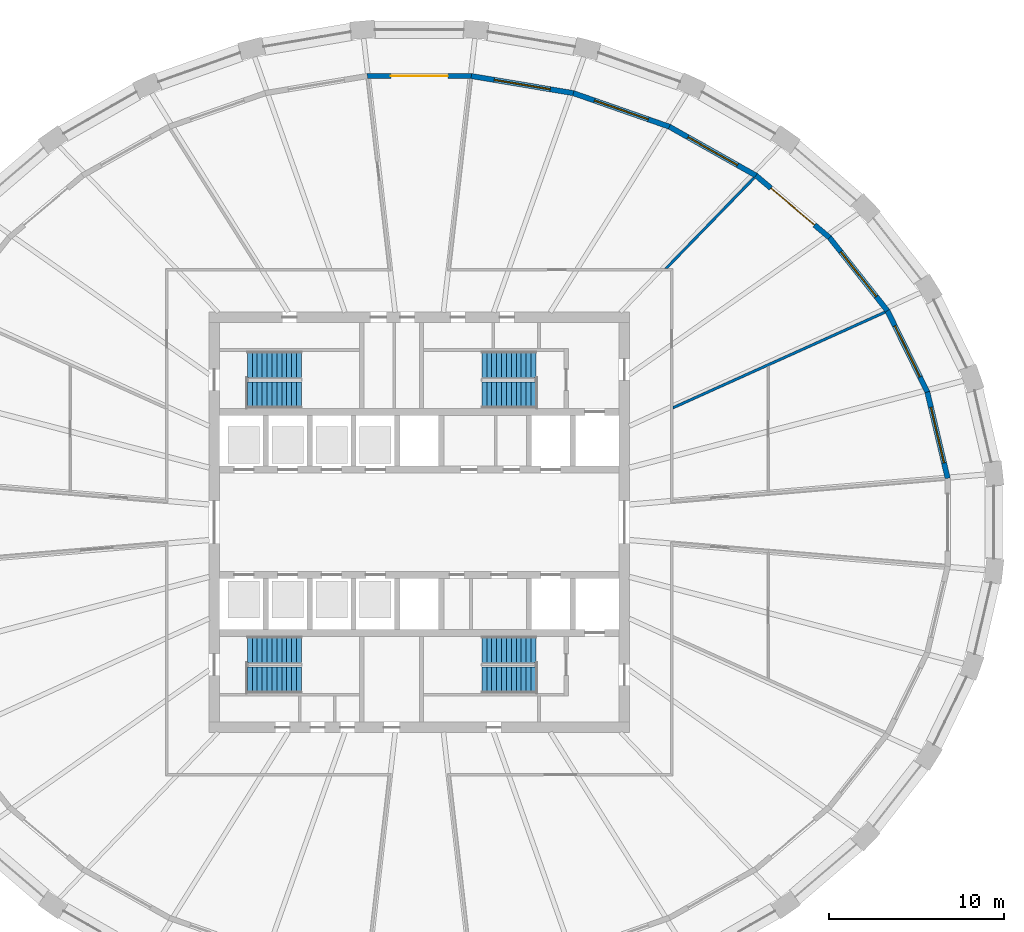
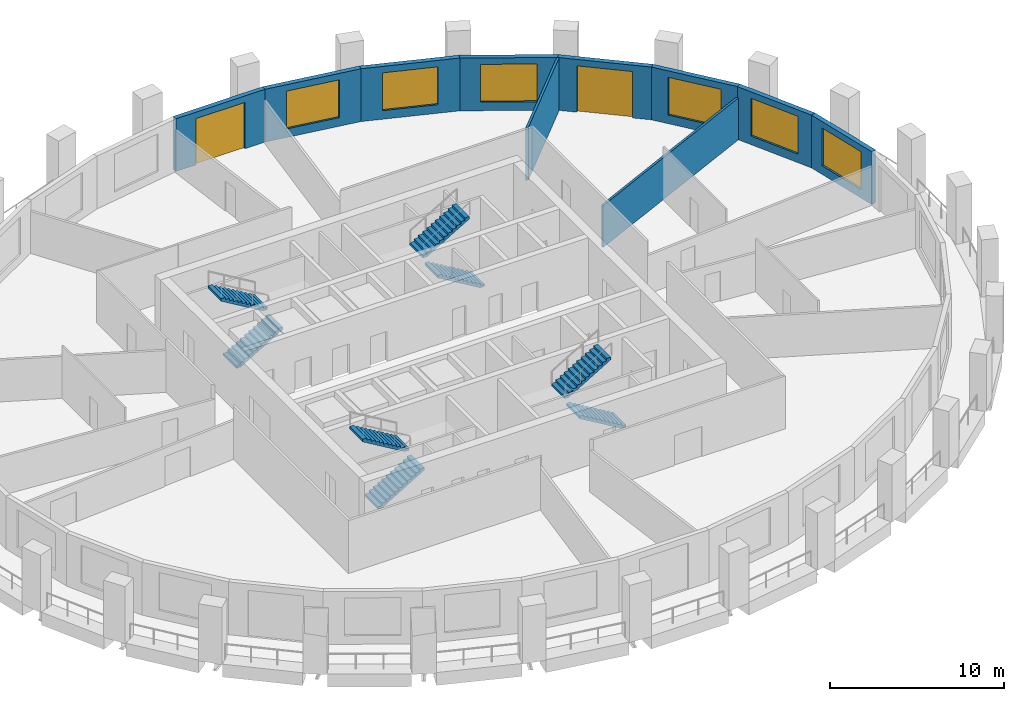
# One storey, part 7 of 10: 10 walls, 8 stair flights, 6 windows, 2 doors, 8 openings, 4 elements without a shape of their own.
"""IFC4 building model written with IfcOpenShell, lengths in metres."""

from ifc_helpers import new_model, si_unit, direction, frame, frame_2d, origin, place, context, subcontext, project, spatial, polyline, rectangle, outline, extrude, material, layer, layer_set, type_object, element, fill, aggregate, save


model = new_model("IFC4")

# Units and contexts
model_context = context("Model", 3, precision=1e-05, world=origin(), true_north=direction((0.0, 1.0)))
body_context = subcontext(model_context, "Body", "Model", "MODEL_VIEW")
ifc_project = project(units=[si_unit("LENGTHUNIT", "METRE"), si_unit("AREAUNIT", "SQUARE_METRE"), si_unit("VOLUMEUNIT", "CUBIC_METRE"), si_unit("PLANEANGLEUNIT", "RADIAN"), si_unit("MASSUNIT", "GRAM", prefix="KILO")], contexts=[model_context])

# Site, building, storey
site_placement = place(None, origin())
site = spatial("IfcSite", under=ifc_project, at=site_placement, CompositionType="ELEMENT")
building_placement = place(site_placement, origin())
building = spatial("IfcBuilding", under=site, at=building_placement, Name="Halqa Exchange Tower", CompositionType="ELEMENT")
storey_placement = place(building_placement, frame((0.0, 0.0, 182.89990234375)))
storey = spatial("IfcBuildingStorey", under=building, at=storey_placement, Name="L41", CompositionType="ELEMENT", Elevation=182.89990234375)

# Walls
ifc_material_1 = material(Name="Fire-rated gypsum board")
ifc_layer_1 = layer(ifc_material_1, 0.14990234375)
ifc_layer_set_1 = layer_set([ifc_layer_1], Name="Fire-rated gypsum board")
wall_type_1 = type_object("IfcWallType", Name="Fire partition EI 60 150", PredefinedType="PARTITIONING", material=ifc_layer_set_1)
wall_1_placement = place(storey_placement, frame((14.022216796875, 14.4228515625, 0.0), z_axis=(0.0, 0.0, 1.0), x_axis=(0.69721790069, 0.716859260216, 0.0)))
element("IfcWall", 1, at=wall_1_placement, inside=storey, type_object=wall_type_1, Name="L41-PWL-017", PredefinedType="PARTITIONING", context=body_context, shape_type="SweptSolid", body=[
    extrude(outline(polyline([(0.0, 0.074951171875), (0.0, 0.07470703125), (0.145751953125, -0.074951171875), (1.927001953125, -0.074951171875), (3.70849609375, -0.074951171875), (5.489990234375, -0.074951171875), (7.271484375, -0.074951171875), (7.271484375, 0.074951171875), (5.45361328125, 0.074951171875), (3.6357421875, 0.074951171875), (1.81787109375, 0.074951171875), (0.0, 0.074951171875)])), origin(), (0.0, 0.0, 1.0), 3.7001953125),
])
wall_2_placement = place(storey_placement, frame((14.444580078125, 6.52001953125, 0.0), z_axis=(0.0, 0.0, 1.0), x_axis=(0.911609963385, 0.411056291349, 0.0)))
element("IfcWall", 2, at=wall_2_placement, inside=storey, type_object=wall_type_1, Name="L41-PWL-024", PredefinedType="PARTITIONING", context=body_context, shape_type="SweptSolid", body=[
    extrude(outline(polyline([(0.0, -0.074951171875), (1.96533203125, -0.074951171875), (3.930419921875, -0.074951171875), (5.895751953125, -0.074951171875), (5.896728515625, -0.07275390625), (5.9013671875, -0.074951171875), (7.75, -0.074951171875), (9.5986328125, -0.074951171875), (11.447265625, -0.074951171875), (13.2958984375, -0.074951171875), (13.2958984375, -0.069091796875), (13.293701171875, -0.002685546875), (13.274169921875, 0.074951171875), (11.387451171875, 0.074951171875), (9.500732421875, 0.074951171875), (7.614013671875, 0.074951171875), (5.727294921875, 0.074951171875), (3.840576171875, 0.074951171875), (1.953857421875, 0.074951171875), (0.067138671875, 0.074951171875), (0.0, -0.073974609375), (0.0, -0.074951171875)])), origin(), (0.0, 0.0, 1.0), 2.93017578125),
])

# Wall, opening, window
ifc_material_2 = material(Name="Limestone cladding", Category="masonry")
ifc_layer_2 = layer(ifc_material_2, 0.0400390625)
ifc_material_3 = material(Name="Ventilated cavity")
ifc_layer_3 = layer(ifc_material_3, 0.030029296875, ventilated=True)
ifc_material_4 = material(Name="Mineral wool insulation")
ifc_layer_4 = layer(ifc_material_4, 0.10009765625)
ifc_material_5 = material(Name="Concrete C30/37", Category="concrete")
ifc_layer_5 = layer(ifc_material_5, 0.10009765625)
ifc_material_6 = material(Name="Internal plaster")
ifc_layer_6 = layer(ifc_material_6, 0.030029296875)
ifc_layer_set_2 = layer_set([ifc_layer_2, ifc_layer_3, ifc_layer_4, ifc_layer_5, ifc_layer_6], Name="Stone-faced insulated wall 300")
wall_type_2 = type_object("IfcWallType", Name="Stone-faced insulated wall 300", PredefinedType="STANDARD", material=ifc_layer_set_2)
wall_3_placement = place(storey_placement, frame((30.126220703125, 2.5087890625, 0.0), z_axis=(0.0, 0.0, 1.0), x_axis=(-0.229434992017, 0.973323987395, 0.0)))
wall_3 = element("IfcWall", 3, at=wall_3_placement, inside=storey, type_object=wall_type_2, Name="Glass-line wall 1", PredefinedType="STANDARD", context=body_context, shape_type="SweptSolid", body=[
    extrude(outline(polyline([(-0.017333984375, -0.14990234375), (5.072265625, -0.14990234375), (5.03857421875, 0.14990234375), (0.017333984375, 0.14990234375), (-0.017333984375, -0.14990234375)])), origin(), (0.0, 0.0, 1.0), 3.7001953125),
])
opening_1_placement = place(wall_3_placement, frame((0.902587890625, 0.0, 0.60009765625)))
opening_1 = element("IfcOpeningElement", 4, at=opening_1_placement, cuts=wall_3, Name="Opening W-F3-01", PredefinedType="OPENING", context=body_context, shape_type="SweptSolid", body=[
    extrude(rectangle(XDim=3.25, YDim=2.64990234375, at=frame_2d((1.625, 1.324951171875))), frame((0.0, 0.162109375, 0.0), z_axis=(0.0, -1.0, 0.0), x_axis=(1.0, 0.0, 0.0)), (0.0, 0.0, 1.0), 0.323974609375),
])
ifc_material_7 = material(Name="Clear low-emissivity glass in aluminium frame", Category="aluminium")
window_type = type_object("IfcWindowType", Name="Fixed clear glazed window 3250 x 2650", PartitioningType="TRIPLE_PANEL_VERTICAL", PredefinedType="WINDOW", material=ifc_material_7)
window_1_placement = place(opening_1_placement, origin())
window_1 = element("IfcWindow", 5, at=window_1_placement, inside=storey, type_object=window_type, Name="Window 3", OverallHeight=2.64990234375, OverallWidth=3.25, PartitioningType="TRIPLE_PANEL_VERTICAL", PredefinedType="WINDOW", context=body_context, shape_type="SweptSolid", body=[
    extrude(rectangle(XDim=3.25, YDim=2.64990234375, at=frame_2d((1.625, 1.324951171875))), frame((0.0, 0.030029296875, 0.0), z_axis=(0.0, -1.0, 0.0), x_axis=(1.0, 0.0, 0.0)), (0.0, 0.0, 1.0), 0.06005859375),
])
fill(opening_1, window_1)

wall_4_placement = place(storey_placement, frame((28.96630859375, 7.429443359375, 0.0), z_axis=(0.0, 0.0, 1.0), x_axis=(-0.440673883676, 0.897667270343, 0.0)))
wall_4 = element("IfcWall", 6, at=wall_4_placement, inside=storey, type_object=wall_type_2, Name="Glass-line wall 2", PredefinedType="STANDARD", context=body_context, shape_type="SweptSolid", body=[
    extrude(outline(polyline([(-0.016845703125, -0.14990234375), (5.17724609375, -0.14990234375), (5.14501953125, 0.14990234375), (0.016845703125, 0.14990234375), (-0.016845703125, -0.14990234375)])), origin(), (0.0, 0.0, 1.0), 3.7001953125),
])
opening_2_placement = place(wall_4_placement, frame((0.95556640625, 0.0, 0.60009765625)))
opening_2 = element("IfcOpeningElement", 7, at=opening_2_placement, cuts=wall_4, Name="Opening W-F3-02", PredefinedType="OPENING", context=body_context, shape_type="SweptSolid", body=[
    extrude(rectangle(XDim=3.25, YDim=2.64990234375, at=frame_2d((1.625, 1.324951171875))), frame((0.0, 0.162109375, 0.0), z_axis=(0.0, -1.0, 0.0), x_axis=(1.0, 0.0, 0.0)), (0.0, 0.0, 1.0), 0.323974609375),
])
window_2_placement = place(opening_2_placement, origin())
window_2 = element("IfcWindow", 8, at=window_2_placement, inside=storey, type_object=window_type, Name="Window 3", OverallHeight=2.64990234375, OverallWidth=3.25, PartitioningType="TRIPLE_PANEL_VERTICAL", PredefinedType="WINDOW", context=body_context, shape_type="SweptSolid", body=[
    extrude(rectangle(XDim=3.25, YDim=2.64990234375, at=frame_2d((1.625, 1.324951171875))), frame((0.0, 0.030029296875, 0.0), z_axis=(0.0, -1.0, 0.0), x_axis=(1.0, 0.0, 0.0)), (0.0, 0.0, 1.0), 0.06005859375),
])
fill(opening_2, window_2)

wall_5_placement = place(storey_placement, frame((26.69189453125, 12.0625, 0.0), z_axis=(0.0, 0.0, 1.0), x_axis=(-0.620766467446, 0.78399553117, 0.0)))
wall_5 = element("IfcWall", 9, at=wall_5_placement, inside=storey, type_object=wall_type_2, Name="Glass-line wall 3", PredefinedType="STANDARD", context=body_context, shape_type="SweptSolid", body=[
    extrude(outline(polyline([(-0.01611328125, -0.14990234375), (5.330810546875, -0.14990234375), (5.300537109375, 0.14990234375), (0.01611328125, 0.14990234375), (-0.01611328125, -0.14990234375)])), origin(), (0.0, 0.0, 1.0), 3.7001953125),
])
opening_3_placement = place(wall_5_placement, frame((1.032958984375, 0.0, 0.60009765625)))
opening_3 = element("IfcOpeningElement", 10, at=opening_3_placement, cuts=wall_5, Name="Opening W-F3-03", PredefinedType="OPENING", context=body_context, shape_type="SweptSolid", body=[
    extrude(rectangle(XDim=3.25, YDim=2.64990234375, at=frame_2d((1.625, 1.324951171875))), frame((0.0, 0.162109375, 0.0), z_axis=(0.0, -1.0, 0.0), x_axis=(1.0, 0.0, 0.0)), (0.0, 0.0, 1.0), 0.323974609375),
])
window_3_placement = place(opening_3_placement, origin())
window_3 = element("IfcWindow", 11, at=window_3_placement, inside=storey, type_object=window_type, Name="Window 3", OverallHeight=2.64990234375, OverallWidth=3.25, PartitioningType="TRIPLE_PANEL_VERTICAL", PredefinedType="WINDOW", context=body_context, shape_type="SweptSolid", body=[
    extrude(rectangle(XDim=3.25, YDim=2.64990234375, at=frame_2d((1.625, 1.324951171875))), frame((0.0, 0.030029296875, 0.0), z_axis=(0.0, -1.0, 0.0), x_axis=(1.0, 0.0, 0.0)), (0.0, 0.0, 1.0), 0.06005859375),
])
fill(opening_3, window_3)

# Wall, opening, door
wall_6_placement = place(storey_placement, frame((23.39208984375, 16.22998046875, 0.0), z_axis=(0.0, 0.0, 1.0), x_axis=(-0.764238764041, 0.64493341636, 0.0)))
wall_6 = element("IfcWall", 12, at=wall_6_placement, inside=storey, type_object=wall_type_2, Name="Glass-line wall 4", PredefinedType="STANDARD", context=body_context, shape_type="SweptSolid", body=[
    extrude(outline(polyline([(-0.01513671875, -0.14990234375), (5.506591796875, -0.14990234375), (5.478271484375, 0.14990234375), (0.01513671875, 0.14990234375), (-0.01513671875, -0.14990234375)])), origin(), (0.0, 0.0, 1.0), 3.7001953125),
])
opening_4_placement = place(wall_6_placement, frame((1.12109375, 0.0, 0.0)))
opening_4 = element("IfcOpeningElement", 13, at=opening_4_placement, cuts=wall_6, Name="Opening LG-F3-01", PredefinedType="OPENING", context=body_context, shape_type="SweptSolid", body=[
    extrude(rectangle(XDim=3.25, YDim=3.25, at=frame_2d((1.625, 1.625))), frame((0.0, 0.162109375, 0.0), z_axis=(0.0, -1.0, 0.0), x_axis=(1.0, 0.0, 0.0)), (0.0, 0.0, 1.0), 0.323974609375),
])
door_type = type_object("IfcDoorType", Name="Glazed sliding loggia door 3250 x 3250", OperationType="DOUBLE_DOOR_SLIDING", PredefinedType="DOOR", material=ifc_material_7)
door_1_placement = place(opening_4_placement, origin())
door_1 = element("IfcDoor", 14, at=door_1_placement, inside=storey, type_object=door_type, Name="Loggia door 1", OperationType="DOUBLE_DOOR_SLIDING", OverallHeight=3.25, OverallWidth=3.25, PredefinedType="DOOR", context=body_context, shape_type="SweptSolid", body=[
    extrude(rectangle(XDim=3.25, YDim=3.25, at=frame_2d((1.625, 1.625))), frame((0.0, 0.02490234375, 0.0), z_axis=(0.0, -1.0, 0.0), x_axis=(1.0, 0.0, 0.0)), (0.0, 0.0, 1.0), 0.050048828125),
])
fill(opening_4, door_1)

# Wall, opening, window
wall_7_placement = place(storey_placement, frame((19.194580078125, 19.772216796875, 0.0), z_axis=(0.0, 0.0, 1.0), x_axis=(-0.871077775545, 0.491145099691, 0.0)))
wall_7 = element("IfcWall", 15, at=wall_7_placement, inside=storey, type_object=wall_type_2, Name="Glass-line wall 5", PredefinedType="STANDARD", context=body_context, shape_type="SweptSolid", body=[
    extrude(outline(polyline([(-0.01416015625, -0.14990234375), (5.67724609375, -0.14990234375), (5.650390625, 0.14990234375), (0.01416015625, 0.14990234375), (-0.01416015625, -0.14990234375)])), origin(), (0.0, 0.0, 1.0), 3.7001953125),
])
opening_5_placement = place(wall_7_placement, frame((1.206787109375, 0.0, 0.60009765625)))
opening_5 = element("IfcOpeningElement", 16, at=opening_5_placement, cuts=wall_7, Name="Opening W-F3-05", PredefinedType="OPENING", context=body_context, shape_type="SweptSolid", body=[
    extrude(rectangle(XDim=3.25, YDim=2.64990234375, at=frame_2d((1.625, 1.324951171875))), frame((0.0, 0.162109375, 0.0), z_axis=(0.0, -1.0, 0.0), x_axis=(1.0, 0.0, 0.0)), (0.0, 0.0, 1.0), 0.323974609375),
])
window_4_placement = place(opening_5_placement, origin())
window_4 = element("IfcWindow", 17, at=window_4_placement, inside=storey, type_object=window_type, Name="Window 3", OverallHeight=2.64990234375, OverallWidth=3.25, PartitioningType="TRIPLE_PANEL_VERTICAL", PredefinedType="WINDOW", context=body_context, shape_type="SweptSolid", body=[
    extrude(rectangle(XDim=3.25, YDim=2.64990234375, at=frame_2d((1.625, 1.324951171875))), frame((0.0, 0.030029296875, 0.0), z_axis=(0.0, -1.0, 0.0), x_axis=(1.0, 0.0, 0.0)), (0.0, 0.0, 1.0), 0.06005859375),
])
fill(opening_5, window_4)

wall_8_placement = place(storey_placement, frame((14.260986328125, 22.553955078125, 0.0), z_axis=(0.0, 0.0, 1.0), x_axis=(-0.943990724372, 0.329971987144, 0.0)))
wall_8 = element("IfcWall", 18, at=wall_8_placement, inside=storey, type_object=wall_type_2, Name="Glass-line wall 6", PredefinedType="STANDARD", context=body_context, shape_type="SweptSolid", body=[
    extrude(outline(polyline([(-0.013427734375, -0.14990234375), (5.81787109375, -0.14990234375), (5.79248046875, 0.14990234375), (0.013427734375, 0.14990234375), (-0.013427734375, -0.14990234375)])), origin(), (0.0, 0.0, 1.0), 3.7001953125),
])
opening_6_placement = place(wall_8_placement, frame((1.277587890625, 0.0, 0.60009765625)))
opening_6 = element("IfcOpeningElement", 19, at=opening_6_placement, cuts=wall_8, Name="Opening W-F3-06", PredefinedType="OPENING", context=body_context, shape_type="SweptSolid", body=[
    extrude(rectangle(XDim=3.25, YDim=2.64990234375, at=frame_2d((1.625, 1.324951171875))), frame((0.0, 0.162109375, 0.0), z_axis=(0.0, -1.0, 0.0), x_axis=(1.0, 0.0, 0.0)), (0.0, 0.0, 1.0), 0.323974609375),
])
window_5_placement = place(opening_6_placement, origin())
window_5 = element("IfcWindow", 20, at=window_5_placement, inside=storey, type_object=window_type, Name="Window 3", OverallHeight=2.64990234375, OverallWidth=3.25, PartitioningType="TRIPLE_PANEL_VERTICAL", PredefinedType="WINDOW", context=body_context, shape_type="SweptSolid", body=[
    extrude(rectangle(XDim=3.25, YDim=2.64990234375, at=frame_2d((1.625, 1.324951171875))), frame((0.0, 0.030029296875, 0.0), z_axis=(0.0, -1.0, 0.0), x_axis=(1.0, 0.0, 0.0)), (0.0, 0.0, 1.0), 0.06005859375),
])
fill(opening_6, window_5)

wall_9_placement = place(storey_placement, frame((8.781005859375, 24.469482421875, 0.0), z_axis=(0.0, 0.0, 1.0), x_axis=(-0.986201934369, 0.165546805001, 0.0)))
wall_9 = element("IfcWall", 21, at=wall_9_placement, inside=storey, type_object=wall_type_2, Name="Glass-line wall 7", PredefinedType="STANDARD", context=body_context, shape_type="SweptSolid", body=[
    extrude(outline(polyline([(-0.0126953125, -0.14990234375), (5.909912109375, -0.14990234375), (5.885009765625, 0.14990234375), (0.0126953125, 0.14990234375), (-0.0126953125, -0.14990234375)])), origin(), (0.0, 0.0, 1.0), 3.7001953125),
])
opening_7_placement = place(wall_9_placement, frame((1.32373046875, 0.0, 0.60009765625)))
opening_7 = element("IfcOpeningElement", 22, at=opening_7_placement, cuts=wall_9, Name="Opening W-F3-07", PredefinedType="OPENING", context=body_context, shape_type="SweptSolid", body=[
    extrude(rectangle(XDim=3.25, YDim=2.64990234375, at=frame_2d((1.625, 1.324951171875))), frame((0.0, 0.162109375, 0.0), z_axis=(0.0, -1.0, 0.0), x_axis=(1.0, 0.0, 0.0)), (0.0, 0.0, 1.0), 0.323974609375),
])
window_6_placement = place(opening_7_placement, origin())
window_6 = element("IfcWindow", 23, at=window_6_placement, inside=storey, type_object=window_type, Name="Window 3", OverallHeight=2.64990234375, OverallWidth=3.25, PartitioningType="TRIPLE_PANEL_VERTICAL", PredefinedType="WINDOW", context=body_context, shape_type="SweptSolid", body=[
    extrude(rectangle(XDim=3.25, YDim=2.64990234375, at=frame_2d((1.625, 1.324951171875))), frame((0.0, 0.030029296875, 0.0), z_axis=(0.0, -1.0, 0.0), x_axis=(1.0, 0.0, 0.0)), (0.0, 0.0, 1.0), 0.06005859375),
])
fill(opening_7, window_6)

# Wall, opening, door
wall_10_placement = place(storey_placement, frame((2.96484375, 25.44580078125, 0.0), z_axis=(0.0, 0.0, 1.0), x_axis=(-1.0, 0.0, 0.0)))
wall_10 = element("IfcWall", 24, at=wall_10_placement, inside=storey, type_object=wall_type_2, Name="Glass-line wall 8", PredefinedType="STANDARD", context=body_context, shape_type="SweptSolid", body=[
    extrude(outline(polyline([(-0.012451171875, -0.14990234375), (5.942138671875, -0.14990234375), (5.917236328125, 0.14990234375), (0.012451171875, 0.14990234375), (-0.012451171875, -0.14990234375)])), origin(), (0.0, 0.0, 1.0), 3.7001953125),
])
opening_8_placement = place(wall_10_placement, frame((1.33984375, 0.0, 0.0)))
opening_8 = element("IfcOpeningElement", 25, at=opening_8_placement, cuts=wall_10, Name="Opening LG-F3-02", PredefinedType="OPENING", context=body_context, shape_type="SweptSolid", body=[
    extrude(rectangle(XDim=3.25, YDim=3.25, at=frame_2d((1.625, 1.625))), frame((0.0, 0.162109375, 0.0), z_axis=(0.0, -1.0, 0.0), x_axis=(1.0, 0.0, 0.0)), (0.0, 0.0, 1.0), 0.323974609375),
])
door_2_placement = place(opening_8_placement, origin())
door_2 = element("IfcDoor", 26, at=door_2_placement, inside=storey, type_object=door_type, Name="Loggia door 2", OperationType="DOUBLE_DOOR_SLIDING", OverallHeight=3.25, OverallWidth=3.25, PredefinedType="DOOR", context=body_context, shape_type="SweptSolid", body=[
    extrude(rectangle(XDim=3.25, YDim=3.25, at=frame_2d((1.625, 1.625))), frame((0.0, 0.02490234375, 0.0), z_axis=(0.0, -1.0, 0.0), x_axis=(1.0, 0.0, 0.0)), (0.0, 0.0, 1.0), 0.050048828125),
])
fill(opening_8, door_2)

# Stair, stair flights
stair_type = type_object("IfcStairType", Name="Exit stair 1500 wide", PredefinedType="HALF_TURN_STAIR", material=ifc_material_5)
stair_1_placement = place(storey_placement, origin())
stair_1 = element("IfcStair", 27, at=stair_1_placement, inside=storey, type_object=stair_type, Name="Exit stair ST1", PredefinedType="HALF_TURN_STAIR")
stair_flight_type = type_object("IfcStairFlightType", Name="Stair flight 1500 wide", PredefinedType="STRAIGHT", material=ifc_material_5)
stair_flight_1_placement = place(storey_placement, frame((-9.800048828125, 7.25, 0.0), z_axis=(0.0, 0.0, 1.0), x_axis=(1.0, 0.0, 0.0)))
stair_flight_1 = element("IfcStairFlight", 28, at=stair_flight_1_placement, type_object=stair_flight_type, Name="ST1 flight 1", NumberOfRisers=12, NumberOfTreads=11, PredefinedType="STRAIGHT", RiserHeight=0.166666667, TreadLength=0.28, context=body_context, shape_type="SweptSolid", body=[
    extrude(outline(polyline([(0.0, 0.0), (0.0, 0.166748046875), (0.280029296875, 0.166748046875), (0.280029296875, 0.333251953125), (0.56005859375, 0.333251953125), (0.56005859375, 0.5), (0.840087890625, 0.5), (0.840087890625, 0.666748046875), (1.1201171875, 0.666748046875), (1.1201171875, 0.833251953125), (1.39990234375, 0.833251953125), (1.39990234375, 1.0), (1.679931640625, 1.0), (1.679931640625, 1.166748046875), (1.9599609375, 1.166748046875), (1.9599609375, 1.333251953125), (2.239990234375, 1.333251953125), (2.239990234375, 1.5), (2.52001953125, 1.5), (2.52001953125, 1.666748046875), (2.800048828125, 1.666748046875), (2.800048828125, 1.833251953125), (3.080078125, 1.833251953125), (3.080078125, 2.0), (3.080078125, 1.658935546875), (0.29296875, 0.0), (0.0, 0.0)])), frame((0.0, 0.75, 0.0), z_axis=(0.0, -1.0, 0.0), x_axis=(1.0, 0.0, 0.0)), (0.0, 0.0, 1.0), 1.5),
])
stair_flight_2_placement = place(storey_placement, frame((-6.719970703125, 9.0, 2.0), z_axis=(0.0, 0.0, 1.0), x_axis=(-1.0, 0.0, 0.0)))
stair_flight_2 = element("IfcStairFlight", 29, at=stair_flight_2_placement, type_object=stair_flight_type, Name="ST1 flight 2", NumberOfRisers=12, NumberOfTreads=11, PredefinedType="STRAIGHT", RiserHeight=0.166666667, TreadLength=0.28, context=body_context, shape_type="SweptSolid", body=[
    extrude(outline(polyline([(0.0, 0.0), (0.0, 0.166748046875), (0.280029296875, 0.166748046875), (0.280029296875, 0.333251953125), (0.56005859375, 0.333251953125), (0.56005859375, 0.5), (0.840087890625, 0.5), (0.840087890625, 0.666748046875), (1.1201171875, 0.666748046875), (1.1201171875, 0.833251953125), (1.39990234375, 0.833251953125), (1.39990234375, 1.0), (1.679931640625, 1.0), (1.679931640625, 1.166748046875), (1.9599609375, 1.166748046875), (1.9599609375, 1.333251953125), (2.239990234375, 1.333251953125), (2.239990234375, 1.5), (2.52001953125, 1.5), (2.52001953125, 1.666748046875), (2.800048828125, 1.666748046875), (2.800048828125, 1.833251953125), (3.080078125, 1.833251953125), (3.080078125, 2.0), (3.080078125, 1.658935546875), (0.29296875, 0.0), (0.0, 0.0)])), frame((0.0, 0.75, 0.0), z_axis=(0.0, -1.0, 0.0), x_axis=(1.0, 0.0, 0.0)), (0.0, 0.0, 1.0), 1.5),
])
aggregate(stair_1, [stair_flight_1, stair_flight_2])

stair_2_placement = place(storey_placement, origin())
stair_2 = element("IfcStair", 30, at=stair_2_placement, inside=storey, type_object=stair_type, Name="Exit stair ST2", PredefinedType="HALF_TURN_STAIR")
stair_flight_3_placement = place(storey_placement, frame((6.64990234375, 7.25, 0.0), z_axis=(0.0, 0.0, 1.0), x_axis=(-1.0, 0.0, 0.0)))
stair_flight_3 = element("IfcStairFlight", 31, at=stair_flight_3_placement, type_object=stair_flight_type, Name="ST2 flight 1", NumberOfRisers=12, NumberOfTreads=11, PredefinedType="STRAIGHT", RiserHeight=0.166666667, TreadLength=0.28, context=body_context, shape_type="SweptSolid", body=[
    extrude(outline(polyline([(0.0, 0.0), (0.0, 0.166748046875), (0.280029296875, 0.166748046875), (0.280029296875, 0.333251953125), (0.56005859375, 0.333251953125), (0.56005859375, 0.5), (0.840087890625, 0.5), (0.840087890625, 0.666748046875), (1.1201171875, 0.666748046875), (1.1201171875, 0.833251953125), (1.39990234375, 0.833251953125), (1.39990234375, 1.0), (1.679931640625, 1.0), (1.679931640625, 1.166748046875), (1.9599609375, 1.166748046875), (1.9599609375, 1.333251953125), (2.239990234375, 1.333251953125), (2.239990234375, 1.5), (2.52001953125, 1.5), (2.52001953125, 1.666748046875), (2.800048828125, 1.666748046875), (2.800048828125, 1.833251953125), (3.080078125, 1.833251953125), (3.080078125, 2.0), (3.080078125, 1.658935546875), (0.29296875, 0.0), (0.0, 0.0)])), frame((0.0, 0.75, 0.0), z_axis=(0.0, -1.0, 0.0), x_axis=(1.0, 0.0, 0.0)), (0.0, 0.0, 1.0), 1.5),
])
stair_flight_4_placement = place(storey_placement, frame((3.570068359375, 9.0, 2.0), z_axis=(0.0, 0.0, 1.0), x_axis=(1.0, 0.0, 0.0)))
stair_flight_4 = element("IfcStairFlight", 32, at=stair_flight_4_placement, type_object=stair_flight_type, Name="ST2 flight 2", NumberOfRisers=12, NumberOfTreads=11, PredefinedType="STRAIGHT", RiserHeight=0.166666667, TreadLength=0.28, context=body_context, shape_type="SweptSolid", body=[
    extrude(outline(polyline([(0.0, 0.0), (0.0, 0.166748046875), (0.280029296875, 0.166748046875), (0.280029296875, 0.333251953125), (0.56005859375, 0.333251953125), (0.56005859375, 0.5), (0.840087890625, 0.5), (0.840087890625, 0.666748046875), (1.1201171875, 0.666748046875), (1.1201171875, 0.833251953125), (1.39990234375, 0.833251953125), (1.39990234375, 1.0), (1.679931640625, 1.0), (1.679931640625, 1.166748046875), (1.9599609375, 1.166748046875), (1.9599609375, 1.333251953125), (2.239990234375, 1.333251953125), (2.239990234375, 1.5), (2.52001953125, 1.5), (2.52001953125, 1.666748046875), (2.800048828125, 1.666748046875), (2.800048828125, 1.833251953125), (3.080078125, 1.833251953125), (3.080078125, 2.0), (3.080078125, 1.658935546875), (0.29296875, 0.0), (0.0, 0.0)])), frame((0.0, 0.75, 0.0), z_axis=(0.0, -1.0, 0.0), x_axis=(1.0, 0.0, 0.0)), (0.0, 0.0, 1.0), 1.5),
])
aggregate(stair_2, [stair_flight_3, stair_flight_4])

stair_3_placement = place(storey_placement, origin())
stair_3 = element("IfcStair", 33, at=stair_3_placement, inside=storey, type_object=stair_type, Name="Exit stair ST3", PredefinedType="HALF_TURN_STAIR")
stair_flight_5_placement = place(storey_placement, frame((-9.800048828125, -9.0, 0.0), z_axis=(0.0, 0.0, 1.0), x_axis=(1.0, 0.0, 0.0)))
stair_flight_5 = element("IfcStairFlight", 34, at=stair_flight_5_placement, type_object=stair_flight_type, Name="ST3 flight 1", NumberOfRisers=12, NumberOfTreads=11, PredefinedType="STRAIGHT", RiserHeight=0.166666667, TreadLength=0.28, context=body_context, shape_type="SweptSolid", body=[
    extrude(outline(polyline([(0.0, 0.0), (0.0, 0.166748046875), (0.280029296875, 0.166748046875), (0.280029296875, 0.333251953125), (0.56005859375, 0.333251953125), (0.56005859375, 0.5), (0.840087890625, 0.5), (0.840087890625, 0.666748046875), (1.1201171875, 0.666748046875), (1.1201171875, 0.833251953125), (1.39990234375, 0.833251953125), (1.39990234375, 1.0), (1.679931640625, 1.0), (1.679931640625, 1.166748046875), (1.9599609375, 1.166748046875), (1.9599609375, 1.333251953125), (2.239990234375, 1.333251953125), (2.239990234375, 1.5), (2.52001953125, 1.5), (2.52001953125, 1.666748046875), (2.800048828125, 1.666748046875), (2.800048828125, 1.833251953125), (3.080078125, 1.833251953125), (3.080078125, 2.0), (3.080078125, 1.658935546875), (0.29296875, 0.0), (0.0, 0.0)])), frame((0.0, 0.75, 0.0), z_axis=(0.0, -1.0, 0.0), x_axis=(1.0, 0.0, 0.0)), (0.0, 0.0, 1.0), 1.5),
])
stair_flight_6_placement = place(storey_placement, frame((-6.719970703125, -7.25, 2.0), z_axis=(0.0, 0.0, 1.0), x_axis=(-1.0, 0.0, 0.0)))
stair_flight_6 = element("IfcStairFlight", 35, at=stair_flight_6_placement, type_object=stair_flight_type, Name="ST3 flight 2", NumberOfRisers=12, NumberOfTreads=11, PredefinedType="STRAIGHT", RiserHeight=0.166666667, TreadLength=0.28, context=body_context, shape_type="SweptSolid", body=[
    extrude(outline(polyline([(0.0, 0.0), (0.0, 0.166748046875), (0.280029296875, 0.166748046875), (0.280029296875, 0.333251953125), (0.56005859375, 0.333251953125), (0.56005859375, 0.5), (0.840087890625, 0.5), (0.840087890625, 0.666748046875), (1.1201171875, 0.666748046875), (1.1201171875, 0.833251953125), (1.39990234375, 0.833251953125), (1.39990234375, 1.0), (1.679931640625, 1.0), (1.679931640625, 1.166748046875), (1.9599609375, 1.166748046875), (1.9599609375, 1.333251953125), (2.239990234375, 1.333251953125), (2.239990234375, 1.5), (2.52001953125, 1.5), (2.52001953125, 1.666748046875), (2.800048828125, 1.666748046875), (2.800048828125, 1.833251953125), (3.080078125, 1.833251953125), (3.080078125, 2.0), (3.080078125, 1.658935546875), (0.29296875, 0.0), (0.0, 0.0)])), frame((0.0, 0.75, 0.0), z_axis=(0.0, -1.0, 0.0), x_axis=(1.0, 0.0, 0.0)), (0.0, 0.0, 1.0), 1.5),
])
aggregate(stair_3, [stair_flight_5, stair_flight_6])

stair_4_placement = place(storey_placement, origin())
stair_4 = element("IfcStair", 36, at=stair_4_placement, inside=storey, type_object=stair_type, Name="Exit stair ST4", PredefinedType="HALF_TURN_STAIR")
stair_flight_7_placement = place(storey_placement, frame((6.64990234375, -9.0, 0.0), z_axis=(0.0, 0.0, 1.0), x_axis=(-1.0, 0.0, 0.0)))
stair_flight_7 = element("IfcStairFlight", 37, at=stair_flight_7_placement, type_object=stair_flight_type, Name="ST4 flight 1", NumberOfRisers=12, NumberOfTreads=11, PredefinedType="STRAIGHT", RiserHeight=0.166666667, TreadLength=0.28, context=body_context, shape_type="SweptSolid", body=[
    extrude(outline(polyline([(0.0, 0.0), (0.0, 0.166748046875), (0.280029296875, 0.166748046875), (0.280029296875, 0.333251953125), (0.56005859375, 0.333251953125), (0.56005859375, 0.5), (0.840087890625, 0.5), (0.840087890625, 0.666748046875), (1.1201171875, 0.666748046875), (1.1201171875, 0.833251953125), (1.39990234375, 0.833251953125), (1.39990234375, 1.0), (1.679931640625, 1.0), (1.679931640625, 1.166748046875), (1.9599609375, 1.166748046875), (1.9599609375, 1.333251953125), (2.239990234375, 1.333251953125), (2.239990234375, 1.5), (2.52001953125, 1.5), (2.52001953125, 1.666748046875), (2.800048828125, 1.666748046875), (2.800048828125, 1.833251953125), (3.080078125, 1.833251953125), (3.080078125, 2.0), (3.080078125, 1.658935546875), (0.29296875, 0.0), (0.0, 0.0)])), frame((0.0, 0.75, 0.0), z_axis=(0.0, -1.0, 0.0), x_axis=(1.0, 0.0, 0.0)), (0.0, 0.0, 1.0), 1.5),
])
stair_flight_8_placement = place(storey_placement, frame((3.570068359375, -7.25, 2.0), z_axis=(0.0, 0.0, 1.0), x_axis=(1.0, 0.0, 0.0)))
stair_flight_8 = element("IfcStairFlight", 38, at=stair_flight_8_placement, type_object=stair_flight_type, Name="ST4 flight 2", NumberOfRisers=12, NumberOfTreads=11, PredefinedType="STRAIGHT", RiserHeight=0.166666667, TreadLength=0.28, context=body_context, shape_type="SweptSolid", body=[
    extrude(outline(polyline([(0.0, 0.0), (0.0, 0.166748046875), (0.280029296875, 0.166748046875), (0.280029296875, 0.333251953125), (0.56005859375, 0.333251953125), (0.56005859375, 0.5), (0.840087890625, 0.5), (0.840087890625, 0.666748046875), (1.1201171875, 0.666748046875), (1.1201171875, 0.833251953125), (1.39990234375, 0.833251953125), (1.39990234375, 1.0), (1.679931640625, 1.0), (1.679931640625, 1.166748046875), (1.9599609375, 1.166748046875), (1.9599609375, 1.333251953125), (2.239990234375, 1.333251953125), (2.239990234375, 1.5), (2.52001953125, 1.5), (2.52001953125, 1.666748046875), (2.800048828125, 1.666748046875), (2.800048828125, 1.833251953125), (3.080078125, 1.833251953125), (3.080078125, 2.0), (3.080078125, 1.658935546875), (0.29296875, 0.0), (0.0, 0.0)])), frame((0.0, 0.75, 0.0), z_axis=(0.0, -1.0, 0.0), x_axis=(1.0, 0.0, 0.0)), (0.0, 0.0, 1.0), 1.5),
])
aggregate(stair_4, [stair_flight_7, stair_flight_8])

save(model, "model.ifc")
